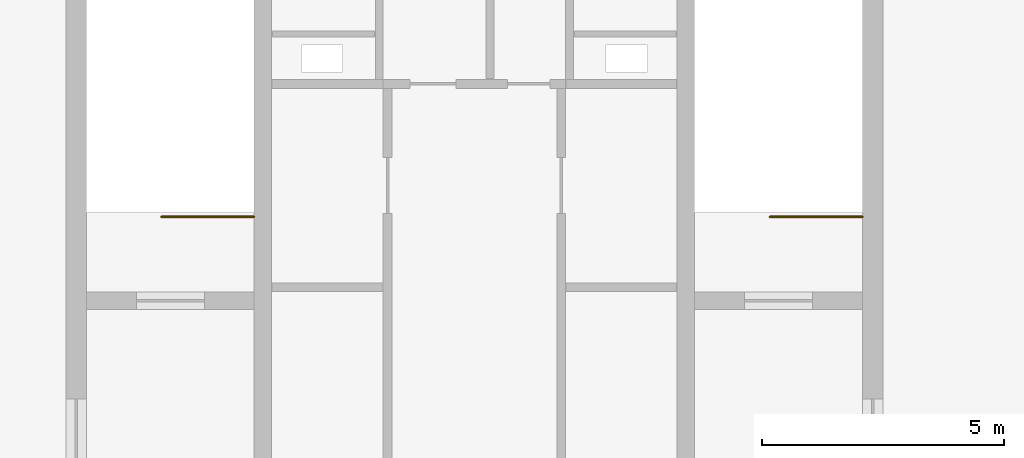
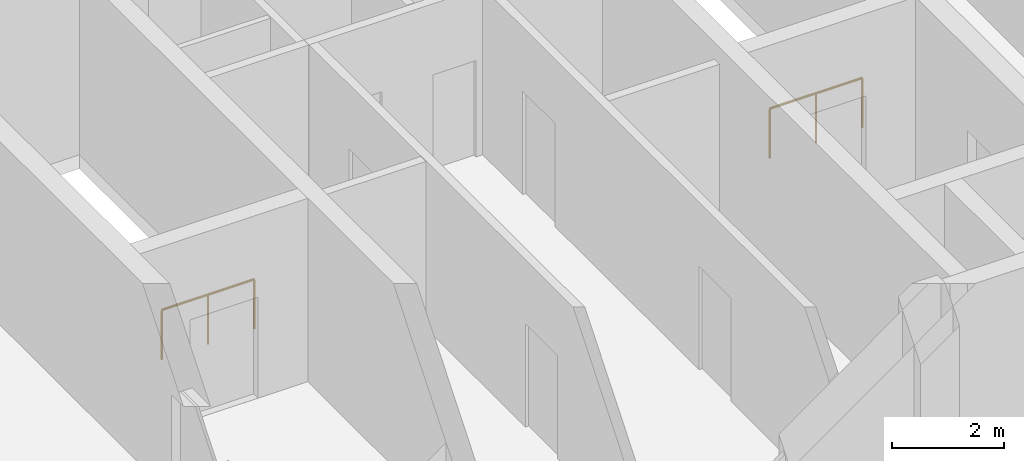
# One storey, part 25 of 26: 2 railings.
"""IFC4 building model written with IfcOpenShell, lengths in metres."""

from ifc_helpers import new_model, si_unit, direction, frame, origin, origin_2d, place, context, subcontext, project, spatial, circle, extrude, source, transform, mapped, material, type_object, element, save


model = new_model("IFC4")

# Units and contexts
model_context = context("Model", 3, precision=1e-05, world=origin(), true_north=direction((0.0, 1.0)))
body_context = subcontext(model_context, "Body", "Model", "MODEL_VIEW")
ifc_project = project(units=[si_unit("LENGTHUNIT", "METRE"), si_unit("AREAUNIT", "SQUARE_METRE"), si_unit("VOLUMEUNIT", "CUBIC_METRE"), si_unit("PLANEANGLEUNIT", "RADIAN"), si_unit("MASSUNIT", "GRAM", prefix="KILO"), si_unit("THERMODYNAMICTEMPERATUREUNIT", "KELVIN")], contexts=[model_context])

# Site, building, storey
site_placement = place(None, origin())
site = spatial("IfcSite", under=ifc_project, at=site_placement, CompositionType="ELEMENT")
building_placement = place(site_placement, origin())
building = spatial("IfcBuilding", under=site, at=building_placement, Name="Kosmvard Interchange Tower", CompositionType="ELEMENT")
storey_placement = place(building_placement, frame((0.0, 0.0, 341.60009765625)))
storey = spatial("IfcBuildingStorey", under=building, at=storey_placement, Name="L84", CompositionType="ELEMENT", Elevation=341.60009765625)

# Railings
ifc_material = material(Name="Steel S355", Category="steel")
railing_type = type_object("IfcRailingType", Name="Stair & Terrace Safety Guardrail 1100 Steel", PredefinedType="GUARDRAIL", material=ifc_material)
shared_shape = source(origin(), body_context, "Body", "SweptSolid", [
    extrude(circle(Radius=0.02392578125, at=origin_2d()), frame((0.0, 0.0, 1.076171875), z_axis=(-1.0, 0.0, 0.0), x_axis=(0.0, -1.0, 0.0)), (0.0, 0.0, 1.0), 1.909912109375),
    extrude(circle(Radius=0.02099609375, at=origin_2d()), origin(), (0.0, 0.0, 1.0), 1.052001953125),
    extrude(circle(Radius=0.02099609375, at=origin_2d()), frame((-0.955078125, 0.0, 0.0)), (0.0, 0.0, 1.0), 1.052001953125),
    extrude(circle(Radius=0.02099609375, at=origin_2d()), frame((-1.909912109375, 0.0, 0.0)), (0.0, 0.0, 1.0), 1.052001953125),
])
for number, where, name in (
    (1, (-4.5400390625, 1.75, 0.0), "L84 ST-1 top well guard 1"),
    (2, (8.0, 1.75, 0.0), "L84 ST-2 top well guard 1"),
):
    element("IfcRailing", number, at=place(storey_placement, frame(where)), inside=storey, type_object=railing_type, Name=name, PredefinedType="GUARDRAIL", context=body_context, shape_type="MappedRepresentation", body=[
        mapped(shared_shape, transform((0.0, 0.0, 0.0), scale=1.0)),
    ])

save(model, "model.ifc")
